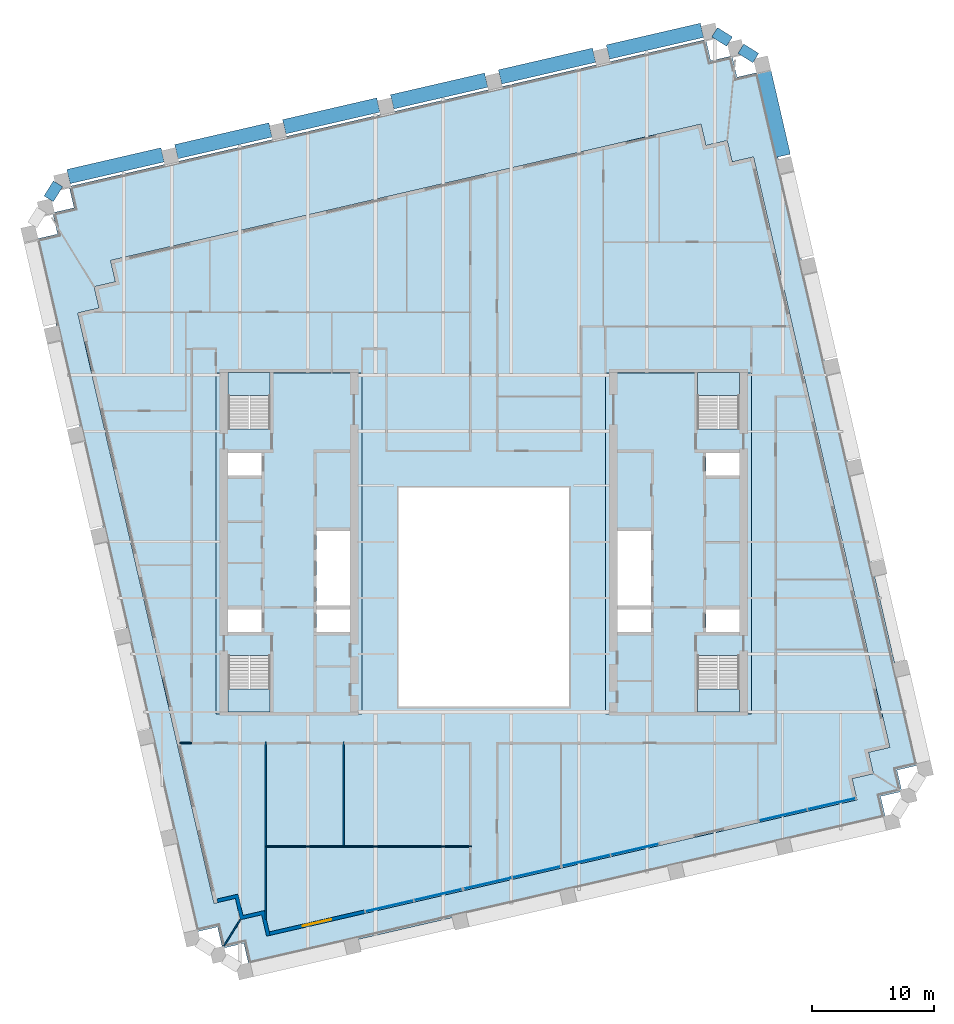
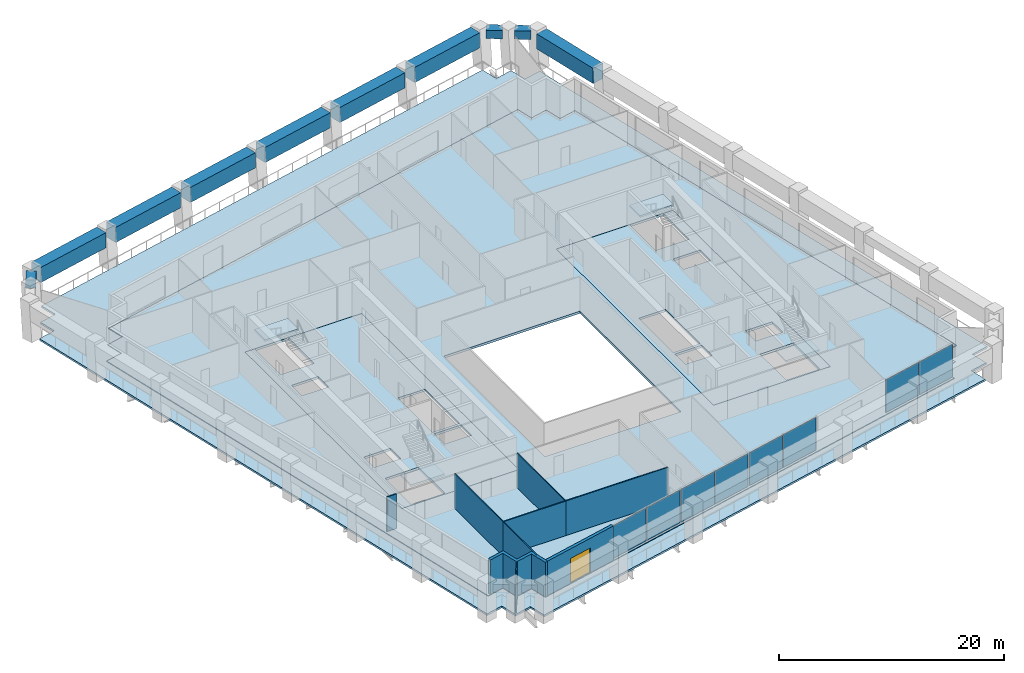
# One storey, part 6 of 14: 10 beams, 9 walls, 8 plates, 8 slabs, 1 door, 1 opening, 8 elements without a shape of their own.
"""IFC4 building model written with IfcOpenShell, lengths in metres."""

import ifcopenshell
import ifcopenshell.guid

model = None  # the IFC model being written
_history = None  # IfcOwnerHistory: only IFC2X3 demands one
_inside = {}  # id of a spatial element -> (the spatial element, [elements in it])
_under = {}  # id of a project, library or spatial element -> (it, [spatial elements below it])
_declared = {}  # id of a project -> (the project, [libraries it declares])
_typed = {}  # id of a type object -> (the type object, [elements of that type])
_made_of = {}  # id of a material, layer set ... -> (it, [elements and type objects made of it])


def new_model(schema):
    """Start an empty IFC model of exactly this schema.

    Asked for "IFC4X3", IfcOpenShell would pick the latest addendum, in which some entities
    have other attributes; the version numbers below select the first issue.
    IFC2X3 requires an IfcOwnerHistory on every rooted entity: one is made here for all.
    """
    global model, _history
    if schema == "IFC4X3":
        model = ifcopenshell.file(schema_version=(4, 3, 0, 0))
    else:
        model = ifcopenshell.file(schema=schema)
    _inside.clear()
    _under.clear()
    _declared.clear()
    _typed.clear()
    _made_of.clear()
    _history = None
    if model.schema == "IFC2X3":
        org = make("IfcOrganization", Name="unknown")
        user = make(
            "IfcPersonAndOrganization",
            ThePerson=make("IfcPerson", FamilyName="unknown"),
            TheOrganization=org,
        )
        app = make(
            "IfcApplication",
            ApplicationDeveloper=org,
            Version="unknown",
            ApplicationFullName="unknown",
            ApplicationIdentifier="unknown",
        )
        _history = make(
            "IfcOwnerHistory",
            OwningUser=user,
            OwningApplication=app,
            ChangeAction="ADDED",
            CreationDate=0,
        )
    return model


def make(cls, **values):
    """One entity of the class cls with the attributes given. An attribute that is None is left unset."""
    return model.create_entity(
        cls, **{name: value for name, value in values.items() if value is not None}
    )


def rooted(cls, **values):
    """An entity with a GlobalId (a new one), such as an element, a storey or a relation."""
    return make(cls, GlobalId=ifcopenshell.guid.new(), OwnerHistory=_history, **values)


def si_unit(unit_type, name, prefix=None):
    """IfcSIUnit, for example si_unit("LENGTHUNIT", "METRE", prefix="MILLI")."""
    return make("IfcSIUnit", UnitType=unit_type, Prefix=prefix, Name=name)


def assignment(units):
    """IfcUnitAssignment: the units of a project."""
    return None if units is None else make("IfcUnitAssignment", Units=units)


def point(xyz):
    """IfcCartesianPoint."""
    return None if xyz is None else make("IfcCartesianPoint", Coordinates=xyz)


def direction(xyz):
    """IfcDirection."""
    return None if xyz is None else make("IfcDirection", DirectionRatios=xyz)


def frame(location, z_axis=None, x_axis=None):
    """IfcAxis2Placement3D, a coordinate frame: its origin and axes. An axis left out is left unset."""
    return make(
        "IfcAxis2Placement3D",
        Location=point(location),
        Axis=direction(z_axis),
        RefDirection=direction(x_axis),
    )


def frame_2d(location, x_axis=None):
    """IfcAxis2Placement2D, a coordinate frame in the plane: its origin and x axis."""
    return make(
        "IfcAxis2Placement2D", Location=point(location), RefDirection=direction(x_axis)
    )


def origin():
    """The frame at (0, 0, 0) with its axes left unset."""
    return frame((0.0, 0.0, 0.0))


def origin_2d():
    """The frame at (0, 0) in the plane with its x axis left unset."""
    return frame_2d((0.0, 0.0))


def place(relative_to, where):
    """IfcLocalPlacement: puts the frame where relative to a parent placement (None: the world)."""
    return make(
        "IfcLocalPlacement", PlacementRelTo=relative_to, RelativePlacement=where
    )


def context(
    kind, dimensions, precision=None, world=None, true_north=None, identifier=None
):
    """IfcGeometricRepresentationContext, for example the 3D "Model" context."""
    return make(
        "IfcGeometricRepresentationContext",
        ContextIdentifier=identifier,
        ContextType=kind,
        CoordinateSpaceDimension=dimensions,
        Precision=precision,
        WorldCoordinateSystem=world,
        TrueNorth=true_north,
    )


def subcontext(parent, identifier, kind, view, scale=None):
    """IfcGeometricRepresentationSubContext, for example "Body" below "Model"."""
    return make(
        "IfcGeometricRepresentationSubContext",
        ContextIdentifier=identifier,
        ContextType=kind,
        ParentContext=parent,
        TargetScale=scale,
        TargetView=view,
    )


def project(units=None, contexts=None):
    """IfcProject with its units and contexts."""
    return rooted(
        "IfcProject",
        Name="project",
        RepresentationContexts=contexts,
        UnitsInContext=assignment(units),
    )


def spatial(cls, under=None, at=None, **own):
    """A site, building, storey or space (cls), placed at a placement, below another one or the project."""
    s = rooted(cls, ObjectPlacement=at, **own)
    if under is not None:
        _under.setdefault(under.id(), (under, []))[1].append(s)
    return s


def polyline(points):
    """IfcPolyline through the points."""
    return make("IfcPolyline", Points=[point(p) for p in points])


def profile(cls, at=None, kind="AREA", **sizes):
    """A parametric profile (cls). Its sizes go by their IFC names, for example OverallWidth=200.0."""
    return make(cls, ProfileType=kind, Position=at, **sizes)


def rectangle(**sizes):
    """IfcRectangleProfileDef."""
    return profile("IfcRectangleProfileDef", **sizes)


def outline(outer, holes=None, kind="AREA"):
    """IfcArbitraryClosedProfileDef: a profile drawn as a closed curve; with holes, ...WithVoids."""
    if holes is None:
        return make("IfcArbitraryClosedProfileDef", ProfileType=kind, OuterCurve=outer)
    return make(
        "IfcArbitraryProfileDefWithVoids",
        ProfileType=kind,
        OuterCurve=outer,
        InnerCurves=holes,
    )


def extrude(swept, where, along, depth):
    """IfcExtrudedAreaSolid: the profile swept, set in the frame where, extruded along a direction by depth."""
    return make(
        "IfcExtrudedAreaSolid",
        SweptArea=swept,
        Position=where,
        ExtrudedDirection=direction(along),
        Depth=depth,
    )


def shape(context_of_items, identifier, shape_type, items):
    """IfcShapeRepresentation: the items that make up one representation, for example the "Body"."""
    return make(
        "IfcShapeRepresentation",
        ContextOfItems=context_of_items,
        RepresentationIdentifier=identifier,
        RepresentationType=shape_type,
        Items=items,
    )


def material(Name=None, Category=None):
    """IfcMaterial."""
    return make("IfcMaterial", Name=Name, Category=Category)


def layer(
    of_material, thickness, ventilated=None, Name=None, Category=None, Priority=None
):
    """IfcMaterialLayer: one layer of a wall or slab, of a material (None: an air gap)."""
    return make(
        "IfcMaterialLayer",
        Material=of_material,
        LayerThickness=thickness,
        IsVentilated=ventilated,
        Name=Name,
        Category=Category,
        Priority=Priority,
    )


def layer_set(layers, Name=None):
    """IfcMaterialLayerSet."""
    return make("IfcMaterialLayerSet", MaterialLayers=layers, LayerSetName=Name)


def material_profile(
    of_material, cross_section, Name=None, Category=None, Priority=None
):
    """IfcMaterialProfile: a cross section and its material."""
    return make(
        "IfcMaterialProfile",
        Name=Name,
        Material=of_material,
        Profile=cross_section,
        Priority=Priority,
        Category=Category,
    )


def profile_set(profiles, Name=None, composite=None):
    """IfcMaterialProfileSet."""
    return make(
        "IfcMaterialProfileSet",
        Name=Name,
        MaterialProfiles=profiles,
        CompositeProfile=composite,
    )


def made_of(thing, what):
    """Note that an element or type object is made of a material, layer set ...; save() writes the relation."""
    if what is not None:
        _made_of.setdefault(what.id(), (what, []))[1].append(thing)
    return thing


def type_object(cls, material=None, **own):
    """A type object (cls), such as IfcWallType, which elements share."""
    return made_of(rooted(cls, **own), material)


def element(
    cls,
    number,
    at=None,
    inside=None,
    cuts=None,
    type_object=None,
    material=None,
    context=None,
    identifier="Body",
    shape_type=None,
    held_by="IfcProductDefinitionShape",
    body=None,
    shapes=None,
    **own,
):
    """One element of the class cls, such as IfcWall. Its Tag is "e" and its number.

    at: its placement. inside: the storey or other place that contains it. cuts: it is an
    opening in that element (IfcRelVoidsElement). A single representation is given by context,
    identifier, shape_type and body (its items); several are given by shapes. held_by: the class
    of the entity that holds the representations. save() writes the other relations.
    """
    e = rooted(cls, Tag="e%d" % number, ObjectPlacement=at, **own)
    if body is not None:
        shapes = [shape(context, identifier, shape_type, body)]
    if shapes is not None:
        e.Representation = make(held_by, Representations=shapes)
    if inside is not None:
        _inside.setdefault(inside.id(), (inside, []))[1].append(e)
    if cuts is not None:
        rooted(
            "IfcRelVoidsElement", RelatingBuildingElement=cuts, RelatedOpeningElement=e
        )
    if type_object is not None:
        _typed.setdefault(type_object.id(), (type_object, []))[1].append(e)
    return made_of(e, material)


def fill(opening, filler):
    """IfcRelFillsElement: the door or window that sits in an opening."""
    return rooted(
        "IfcRelFillsElement",
        RelatingOpeningElement=opening,
        RelatedBuildingElement=filler,
    )


def aggregate(whole, parts):
    """IfcRelAggregates: a whole, such as a stair, and the parts it consists of."""
    return rooted("IfcRelAggregates", RelatingObject=whole, RelatedObjects=parts)


def save(model, path):
    """Write the relations noted so far, then the file.

    IfcRelAggregates (storeys below a building ...), IfcRelContainedInSpatialStructure (elements
    in a storey), IfcRelDefinesByType, IfcRelAssociatesMaterial and IfcRelDeclares: one each for
    every whole, place, type object, material and project.
    """
    for whole, parts in _under.values():
        aggregate(whole, parts)
    for where, things in _inside.values():
        rooted(
            "IfcRelContainedInSpatialStructure",
            RelatedElements=things,
            RelatingStructure=where,
        )
    for kind, things in _typed.values():
        rooted("IfcRelDefinesByType", RelatedObjects=things, RelatingType=kind)
    for what, things in _made_of.values():
        rooted("IfcRelAssociatesMaterial", RelatedObjects=things, RelatingMaterial=what)
    for by, libraries in _declared.values():
        rooted("IfcRelDeclares", RelatingContext=by, RelatedDefinitions=libraries)
    model.write(path)


model = new_model("IFC4")

# Units and contexts
model_context = context("Model", 3, precision=1e-05, world=origin(), true_north=direction((0.0, 1.0)))
body_context = subcontext(model_context, "Body", "Model", "MODEL_VIEW")
ifc_project = project(units=[si_unit("LENGTHUNIT", "METRE"), si_unit("AREAUNIT", "SQUARE_METRE"), si_unit("VOLUMEUNIT", "CUBIC_METRE"), si_unit("PLANEANGLEUNIT", "RADIAN"), si_unit("MASSUNIT", "GRAM", prefix="KILO")], contexts=[model_context])

# Site, building, storey
site_placement = place(None, origin())
site = spatial("IfcSite", under=ifc_project, at=site_placement, CompositionType="ELEMENT")
building_placement = place(site_placement, origin())
building = spatial("IfcBuilding", under=site, at=building_placement, Name="Ogive Exchange Tower", CompositionType="ELEMENT")
storey_placement = place(building_placement, frame((0.0, 0.0, 222.0)))
storey = spatial("IfcBuildingStorey", under=building, at=storey_placement, Name="L49", CompositionType="ELEMENT", Elevation=222.0)

# Beams
ifc_material_1 = material(Name="Precast concrete C70/85 (limestone faced)", Category="masonry")
ifc_material_profile_1 = material_profile(ifc_material_1, rectangle(XDim=1.199951171875, YDim=1.64990234375, at=origin_2d()), Name="1200 x 1650")
ifc_profile_set_1 = profile_set([ifc_material_profile_1], Name="Precast concrete C70/85 (limestone faced)")
beam_type_1 = type_object("IfcBeamType", Name="Precast portal sill beam 1200 x 1650 C70/85", PredefinedType="BEAM", material=ifc_profile_set_1)
beam_1_placement = place(storey_placement, frame((24.609130859375, 43.269287109375, 3.125), z_axis=(-0.224936950795, 0.974373320739, 0.0), x_axis=(-0.974373320739, -0.224936950795, 0.0)))
element("IfcBeam", 1, at=beam_1_placement, inside=storey, type_object=beam_type_1, Name="Slot sill beam 15", PredefinedType="BEAM", context=body_context, shape_type="SweptSolid", body=[
    extrude(rectangle(XDim=1.199951171875, YDim=1.64990234375, at=origin_2d()), origin(), (0.0, 0.0, 1.0), 7.367431640625),
])
for number, where, z_axis, x_axis, name in (
    (2, (17.938720703125, 53.58056640625, 3.125), (-0.974369944206, -0.224951576629, 0.0), (0.224951576629, -0.974369944206, 0.0), "Slot sill beam 18"),
    (3, (9.072021484375, 51.53369140625, 3.125), (-0.974369944206, -0.224951576629, 0.0), (0.224951576629, -0.974369944206, 0.0), "Slot sill beam 19"),
    (4, (0.205078125, 49.486572265625, 3.125), (-0.974369944206, -0.224951576629, 0.0), (0.224951576629, -0.974369944206, 0.0), "Slot sill beam 20"),
    (5, (-8.66162109375, 47.439453125, 3.125), (-0.974369944206, -0.224951576629, 0.0), (0.224951576629, -0.974369944206, 0.0), "Slot sill beam 21"),
    (6, (-17.5283203125, 45.392333984375, 3.125), (-0.974369944206, -0.224951576629, 0.0), (0.224951576629, -0.974369944206, 0.0), "Slot sill beam 22"),
):
    element("IfcBeam", number, at=place(storey_placement, frame(where, z_axis=z_axis, x_axis=x_axis)), inside=storey, type_object=beam_type_1, Name=name, PredefinedType="BEAM", context=body_context, shape_type="SweptSolid", body=[
        extrude(rectangle(XDim=1.199951171875, YDim=1.64990234375, at=origin_2d()), origin(), (0.0, 0.0, 1.0), 7.940185546875),
    ])
beam_2_placement = place(storey_placement, frame((-26.395263671875, 43.345458984375, 3.125), z_axis=(-0.974368388194, -0.224958316335, 0.0), x_axis=(0.224958316335, -0.974368388194, 0.0)))
element("IfcBeam", 7, at=beam_2_placement, inside=storey, type_object=beam_type_1, Name="Slot sill beam 23", PredefinedType="BEAM", context=body_context, shape_type="SweptSolid", body=[
    extrude(rectangle(XDim=1.199951171875, YDim=1.64990234375, at=origin_2d()), origin(), (0.0, 0.0, 1.0), 7.93994140625),
])
ifc_material_profile_2 = material_profile(ifc_material_1, rectangle(XDim=0.89990234375, YDim=0.89990234375, at=origin_2d()), Name="900 x 900")
ifc_profile_set_2 = profile_set([ifc_material_profile_2], Name="Precast concrete C70/85 (limestone faced)")
beam_type_2 = type_object("IfcBeamType", Name="Precast spandrel 900 x 900 C70/85", PredefinedType="SPANDREL", material=ifc_profile_set_2)
for number, where, z_axis, x_axis, name in (
    (8, (22.356201171875, 51.303955078125, 3.5), (-0.848074041941, 0.529877740036, 0.0), (-0.529877740036, -0.848074041941, 0.0), "Spandrel 16"),
    (9, (20.197509765625, 52.65283203125, 3.5), (-0.848074041941, 0.529877740036, 0.0), (-0.529877740036, -0.848074041941, 0.0), "Spandrel 17"),
    (10, (-34.987548828125, 40.963623046875, 3.5), (-0.529877740036, -0.848074041941, 0.0), (0.848074041941, -0.529877740036, 0.0), "Spandrel 24"),
):
    element("IfcBeam", number, at=place(storey_placement, frame(where, z_axis=z_axis, x_axis=x_axis)), inside=storey, type_object=beam_type_2, Name=name, PredefinedType="SPANDREL", context=body_context, shape_type="SweptSolid", body=[
        extrude(rectangle(XDim=0.89990234375, YDim=0.89990234375, at=origin_2d()), origin(), (0.0, 0.0, 1.0), 1.448486328125),
    ])

# Slabs
ifc_material_2 = material(Name="Concrete C50/60", Category="concrete")
ifc_layer_1 = layer(ifc_material_2, 0.25)
ifc_layer_set_1 = layer_set([ifc_layer_1], Name="Composite floor slab 250")
slab_type_1 = type_object("IfcSlabType", Name="Composite floor slab 250", PredefinedType="FLOOR", material=ifc_layer_set_1)
slab_1_placement = place(storey_placement, frame((0.0, 0.0, -0.25)))
element("IfcSlab", 11, at=slab_1_placement, inside=storey, type_object=slab_type_1, Name="Composite floor slab", PredefinedType="FLOOR", context=body_context, shape_type="SweptSolid", body=[
    extrude(outline(polyline([(-18.255615234375, -19.116943359375), (-20.009521484375, -19.52197265625), (-20.414306640625, -17.76806640625), (-22.168212890625, -18.1728515625), (-33.370849609375, 30.3505859375), (-31.616943359375, 30.755615234375), (-32.02197265625, 32.509521484375), (-30.26806640625, 32.914306640625), (-30.6728515625, 34.668212890625), (17.8505859375, 45.870849609375), (18.255615234375, 44.116943359375), (20.009521484375, 44.52197265625), (20.414306640625, 42.76806640625), (22.168212890625, 43.1728515625), (33.370849609375, -5.3505859375), (31.616943359375, -5.755615234375), (32.02197265625, -7.509521484375), (30.26806640625, -7.914306640625), (30.6728515625, -9.668212890625), (-17.8505859375, -20.870849609375), (-18.255615234375, -19.116943359375)]), holes=[polyline([(7.0, -2.0), (7.0, 16.0), (-7.0, 16.0), (-7.0, -2.0), (7.0, -2.0)]), polyline([(-22.0, -2.60009765625), (-10.0, -2.60009765625), (-10.0, 25.39990234375), (-22.0, 25.39990234375), (-22.0, -2.60009765625)]), polyline([(10.0, -2.60009765625), (22.0, -2.60009765625), (22.0, 25.39990234375), (10.0, 25.39990234375), (10.0, -2.60009765625)])]), origin(), (0.0, 0.0, 1.0), 0.25),
])
ifc_material_3 = material(Name="Concrete C70/85", Category="concrete")
ifc_layer_2 = layer(ifc_material_3, 0.25)
ifc_layer_set_2 = layer_set([ifc_layer_2], Name="Core floor slab 250")
slab_type_2 = type_object("IfcSlabType", Name="Core floor slab 250", PredefinedType="FLOOR", material=ifc_layer_set_2)
slab_2_placement = place(storey_placement, frame((0.0, 0.0, -0.25)))
element("IfcSlab", 12, at=slab_2_placement, inside=storey, type_object=slab_type_2, Name="Core floor slab", PredefinedType="FLOOR", context=body_context, shape_type="SweptSolid", body=[
    extrude(outline(polyline([(-10.0, 25.39990234375), (-10.0, -2.60009765625), (-22.0, -2.60009765625), (-22.0, 25.39990234375), (-21.0, 25.39990234375), (-21.0, 20.803955078125), (-17.550048828125, 20.803955078125), (-17.550048828125, 25.39990234375), (-10.0, 25.39990234375)]), holes=[polyline([(-17.550048828125, 2.196044921875), (-21.0, 2.196044921875), (-21.0, -2.449951171875), (-17.550048828125, -2.449951171875), (-17.550048828125, 2.196044921875)]), polyline([(-18.25, 5.992919921875), (-21.0, 5.992919921875), (-21.0, 4.14990234375), (-18.25, 4.14990234375), (-18.25, 5.992919921875)]), polyline([(-11.0, 5.992919921875), (-13.75, 5.992919921875), (-13.75, 4.14990234375), (-11.0, 4.14990234375), (-11.0, 5.992919921875)]), polyline([(-13.75, 12.42138671875), (-13.75, 6.29296875), (-11.0, 6.29296875), (-11.0, 12.42138671875), (-13.75, 12.42138671875)]), polyline([(-18.25, 18.85009765625), (-21.0, 18.85009765625), (-21.0, 17.007080078125), (-18.25, 17.007080078125), (-18.25, 18.85009765625)])]), origin(), (0.0, 0.0, 1.0), 0.25),
])
slab_3_placement = place(storey_placement, frame((0.0, 0.0, -0.25)))
element("IfcSlab", 13, at=slab_3_placement, inside=storey, type_object=slab_type_2, Name="Core floor slab", PredefinedType="FLOOR", context=body_context, shape_type="SweptSolid", body=[
    extrude(outline(polyline([(22.0, 25.39990234375), (22.0, -2.60009765625), (10.0, -2.60009765625), (10.0, 25.39990234375), (17.550048828125, 25.39990234375), (17.550048828125, 20.803955078125), (21.0, 20.803955078125), (21.0, 25.39990234375), (22.0, 25.39990234375)]), holes=[polyline([(21.0, 2.196044921875), (17.550048828125, 2.196044921875), (17.550048828125, -2.449951171875), (21.0, -2.449951171875), (21.0, 2.196044921875)]), polyline([(13.75, 5.992919921875), (11.0, 5.992919921875), (11.0, 4.14990234375), (13.75, 4.14990234375), (13.75, 5.992919921875)]), polyline([(21.0, 5.992919921875), (18.25, 5.992919921875), (18.25, 4.14990234375), (21.0, 4.14990234375), (21.0, 5.992919921875)]), polyline([(11.0, 12.42138671875), (11.0, 6.29296875), (13.75, 6.29296875), (13.75, 12.42138671875), (11.0, 12.42138671875)]), polyline([(21.0, 18.85009765625), (18.25, 18.85009765625), (18.25, 17.007080078125), (21.0, 17.007080078125), (21.0, 18.85009765625)])]), origin(), (0.0, 0.0, 1.0), 0.25),
])
ifc_layer_3 = layer(ifc_material_2, 0.199951171875)
ifc_layer_set_3 = layer_set([ifc_layer_3], Name="Loggia deck 200")
slab_type_3 = type_object("IfcSlabType", Name="Loggia deck 200", PredefinedType="FLOOR", material=ifc_layer_set_3)
slab_4_placement = place(storey_placement, frame((0.0, 0.0, -0.25)))
element("IfcSlab", 14, at=slab_4_placement, inside=storey, type_object=slab_type_3, Name="Loggia deck", PredefinedType="FLOOR", context=body_context, shape_type="SweptSolid", body=[
    extrude(outline(polyline([(-19.717041015625, -21.45556640625), (-21.470947265625, -21.860595703125), (-21.875732421875, -20.106689453125), (-23.629638671875, -20.51171875), (-36.775634765625, 36.43017578125), (-35.021728515625, 36.8349609375), (-35.4267578125, 38.5888671875), (-33.6728515625, 38.993896484375), (-34.077880859375, 40.747802734375), (18.245849609375, 52.827392578125), (18.65087890625, 51.07373046875), (20.40478515625, 51.478515625), (20.8095703125, 49.724609375), (22.5634765625, 50.129638671875), (35.70947265625, -6.81201171875), (33.95556640625, -7.217041015625), (34.360595703125, -8.970947265625), (32.606689453125, -9.375732421875), (33.01171875, -11.129638671875), (-19.31201171875, -23.20947265625), (-19.717041015625, -21.45556640625)]), holes=[polyline([(30.26806640625, -7.914306640625), (32.02197265625, -7.509521484375), (31.616943359375, -5.755615234375), (33.370849609375, -5.3505859375), (22.168212890625, 43.1728515625), (20.414306640625, 42.76806640625), (20.009521484375, 44.52197265625), (18.255615234375, 44.116943359375), (17.8505859375, 45.870849609375), (-30.6728515625, 34.668212890625), (-30.26806640625, 32.914306640625), (-32.02197265625, 32.509521484375), (-31.616943359375, 30.755615234375), (-33.370849609375, 30.3505859375), (-22.168212890625, -18.1728515625), (-20.414306640625, -17.76806640625), (-20.009521484375, -19.52197265625), (-18.255615234375, -19.116943359375), (-17.8505859375, -20.870849609375), (30.6728515625, -9.668212890625), (30.26806640625, -7.914306640625)])]), origin(), (0.0, 0.0, 1.0), 0.199951171875),
])

# Curtain wall, plates
ifc_material_4 = material(Name="Anodised aluminium and clear glass", Category="aluminium")
curtain_wall_type = type_object("IfcCurtainWallType", Name="Executive floor glazing", PredefinedType="NOTDEFINED", material=ifc_material_4)
curtain_wall_1_placement = place(storey_placement, origin())
curtain_wall_1 = element("IfcCurtainWall", 15, at=curtain_wall_1_placement, inside=storey, type_object=curtain_wall_type, Name="Executive floor glazing run G2", PredefinedType="NOTDEFINED")
ifc_material_5 = material(Name="Clear glass", Category="glass")
ifc_layer_4 = layer(ifc_material_5, 0.048095703125)
ifc_layer_set_4 = layer_set([ifc_layer_4], Name="Solar-control laminated glass panel 48")
plate_type = type_object("IfcPlateType", Name="Solar-control laminated glass panel 48", PredefinedType="CURTAIN_PANEL", material=ifc_layer_set_4)
plate_1_placement = place(storey_placement, frame((-7.7509765625, -18.38525390625, 0.10009765625), z_axis=(0.0, 0.0, 1.0), x_axis=(0.974370073289, 0.224951017509, 0.0)))
plate_1 = element("IfcPlate", 16, at=plate_1_placement, type_object=plate_type, Name="G2 panel 1.1", PredefinedType="CURTAIN_PANEL", context=body_context, shape_type="SweptSolid", body=[
    extrude(rectangle(XDim=4.0, YDim=0.048095703125, at=origin_2d()), origin(), (0.0, 0.0, 1.0), 3.550048828125),
])
plate_2_placement = place(storey_placement, frame((-3.756103515625, -17.462890625, 0.10009765625), z_axis=(0.0, 0.0, 1.0), x_axis=(0.974370073289, 0.224951017509, 0.0)))
plate_2 = element("IfcPlate", 17, at=plate_2_placement, type_object=plate_type, Name="G2 panel 2.1", PredefinedType="CURTAIN_PANEL", context=body_context, shape_type="SweptSolid", body=[
    extrude(rectangle(XDim=4.0, YDim=0.048095703125, at=origin_2d()), origin(), (0.0, 0.0, 1.0), 3.550048828125),
])
aggregate(curtain_wall_1, [plate_1, plate_2])

curtain_wall_2_placement = place(storey_placement, origin())
curtain_wall_2 = element("IfcCurtainWall", 18, at=curtain_wall_2_placement, inside=storey, type_object=curtain_wall_type, Name="Executive floor glazing run G3", PredefinedType="NOTDEFINED")
plate_3_placement = place(storey_placement, frame((0.336181640625, -16.51806640625, 0.10009765625), z_axis=(0.0, 0.0, 1.0), x_axis=(0.974370073289, 0.224951017509, 0.0)))
plate_3 = element("IfcPlate", 19, at=plate_3_placement, type_object=plate_type, Name="G3 panel 1.1", PredefinedType="CURTAIN_PANEL", context=body_context, shape_type="SweptSolid", body=[
    extrude(rectangle(XDim=4.0, YDim=0.048095703125, at=origin_2d()), origin(), (0.0, 0.0, 1.0), 3.550048828125),
])
plate_4_placement = place(storey_placement, frame((4.331298828125, -15.595703125, 0.10009765625), z_axis=(0.0, 0.0, 1.0), x_axis=(0.974370073289, 0.224951017509, 0.0)))
plate_4 = element("IfcPlate", 20, at=plate_4_placement, type_object=plate_type, Name="G3 panel 2.1", PredefinedType="CURTAIN_PANEL", context=body_context, shape_type="SweptSolid", body=[
    extrude(rectangle(XDim=4.0, YDim=0.048095703125, at=origin_2d()), origin(), (0.0, 0.0, 1.0), 3.550048828125),
])
aggregate(curtain_wall_2, [plate_3, plate_4])

curtain_wall_3_placement = place(storey_placement, origin())
curtain_wall_3 = element("IfcCurtainWall", 21, at=curtain_wall_3_placement, inside=storey, type_object=curtain_wall_type, Name="Executive floor glazing run G4", PredefinedType="NOTDEFINED")
plate_5_placement = place(storey_placement, frame((8.423583984375, -14.651123046875, 0.10009765625), z_axis=(0.0, 0.0, 1.0), x_axis=(0.974369463608, 0.224953658314, 0.0)))
plate_5 = element("IfcPlate", 22, at=plate_5_placement, type_object=plate_type, Name="G4 panel 1.1", PredefinedType="CURTAIN_PANEL", context=body_context, shape_type="SweptSolid", body=[
    extrude(rectangle(XDim=4.0, YDim=0.048095703125, at=origin_2d()), origin(), (0.0, 0.0, 1.0), 3.550048828125),
])
plate_6_placement = place(storey_placement, frame((12.41845703125, -13.728759765625, 0.10009765625), z_axis=(0.0, 0.0, 1.0), x_axis=(0.974369463608, 0.224953658314, 0.0)))
plate_6 = element("IfcPlate", 23, at=plate_6_placement, type_object=plate_type, Name="G4 panel 2.1", PredefinedType="CURTAIN_PANEL", context=body_context, shape_type="SweptSolid", body=[
    extrude(rectangle(XDim=4.0, YDim=0.048095703125, at=origin_2d()), origin(), (0.0, 0.0, 1.0), 3.550048828125),
])
aggregate(curtain_wall_3, [plate_5, plate_6])

curtain_wall_4_placement = place(storey_placement, origin())
curtain_wall_4 = element("IfcCurtainWall", 24, at=curtain_wall_4_placement, inside=storey, type_object=curtain_wall_type, Name="Executive floor glazing run G6", PredefinedType="NOTDEFINED")
plate_7_placement = place(storey_placement, frame((24.59814453125, -10.916748046875, 0.10009765625), z_axis=(0.0, 0.0, 1.0), x_axis=(0.974370073289, 0.224951017509, 0.0)))
plate_7 = element("IfcPlate", 25, at=plate_7_placement, type_object=plate_type, Name="G6 panel 1.1", PredefinedType="CURTAIN_PANEL", context=body_context, shape_type="SweptSolid", body=[
    extrude(rectangle(XDim=4.0, YDim=0.048095703125, at=origin_2d()), origin(), (0.0, 0.0, 1.0), 3.550048828125),
])
plate_8_placement = place(storey_placement, frame((28.593017578125, -9.994384765625, 0.10009765625), z_axis=(0.0, 0.0, 1.0), x_axis=(0.974370073289, 0.224951017509, 0.0)))
plate_8 = element("IfcPlate", 26, at=plate_8_placement, type_object=plate_type, Name="G6 panel 2.1", PredefinedType="CURTAIN_PANEL", context=body_context, shape_type="SweptSolid", body=[
    extrude(rectangle(XDim=4.0, YDim=0.048095703125, at=origin_2d()), origin(), (0.0, 0.0, 1.0), 3.550048828125),
])
aggregate(curtain_wall_4, [plate_7, plate_8])

# Stair, slab
ifc_material_6 = material(Name="Concrete C40/50", Category="concrete")
stair_type = type_object("IfcStairType", Name="Exit stair 1650 wide", PredefinedType="HALF_TURN_STAIR", material=ifc_material_6)
stair_1_placement = place(storey_placement, origin())
stair_1 = element("IfcStair", 27, at=stair_1_placement, inside=storey, type_object=stair_type, Name="L49 exit stair ST1", PredefinedType="HALF_TURN_STAIR")
ifc_layer_5 = layer(ifc_material_6, 0.199951171875)
ifc_layer_set_5 = layer_set([ifc_layer_5], Name="Stair landing 200 slab")
slab_type_4 = type_object("IfcSlabType", Name="Stair landing 200 slab", PredefinedType="LANDING", material=ifc_layer_set_5)
slab_5_placement = place(storey_placement, frame((0.0, 0.0, 1.89990234375)))
slab_5 = element("IfcSlab", 28, at=slab_5_placement, type_object=slab_type_4, Name="ST1 landing 1", PredefinedType="LANDING", context=body_context, shape_type="SweptSolid", body=[
    extrude(outline(polyline([(-21.0, -0.550048828125), (-21.0, -2.449951171875), (-17.550048828125, -2.449951171875), (-17.550048828125, -0.550048828125), (-21.0, -0.550048828125)])), origin(), (0.0, 0.0, 1.0), 0.2001953125),
])
aggregate(stair_1, [slab_5])

stair_2_placement = place(storey_placement, origin())
stair_2 = element("IfcStair", 29, at=stair_2_placement, inside=storey, type_object=stair_type, Name="L49 exit stair ST2", PredefinedType="HALF_TURN_STAIR")
slab_6_placement = place(storey_placement, frame((0.0, 0.0, 1.89990234375)))
slab_6 = element("IfcSlab", 30, at=slab_6_placement, type_object=slab_type_4, Name="ST2 landing 1", PredefinedType="LANDING", context=body_context, shape_type="SweptSolid", body=[
    extrude(outline(polyline([(-17.550048828125, 23.550048828125), (-17.550048828125, 25.449951171875), (-21.0, 25.449951171875), (-21.0, 23.550048828125), (-17.550048828125, 23.550048828125)])), origin(), (0.0, 0.0, 1.0), 0.2001953125),
])
aggregate(stair_2, [slab_6])

stair_3_placement = place(storey_placement, origin())
stair_3 = element("IfcStair", 31, at=stair_3_placement, inside=storey, type_object=stair_type, Name="L49 exit stair ST3", PredefinedType="HALF_TURN_STAIR")
slab_7_placement = place(storey_placement, frame((0.0, 0.0, 1.89990234375)))
slab_7 = element("IfcSlab", 32, at=slab_7_placement, type_object=slab_type_4, Name="ST3 landing 1", PredefinedType="LANDING", context=body_context, shape_type="SweptSolid", body=[
    extrude(outline(polyline([(17.550048828125, -0.550048828125), (17.550048828125, -2.449951171875), (21.0, -2.449951171875), (21.0, -0.550048828125), (17.550048828125, -0.550048828125)])), origin(), (0.0, 0.0, 1.0), 0.2001953125),
])
aggregate(stair_3, [slab_7])

stair_4_placement = place(storey_placement, origin())
stair_4 = element("IfcStair", 33, at=stair_4_placement, inside=storey, type_object=stair_type, Name="L49 exit stair ST4", PredefinedType="HALF_TURN_STAIR")
slab_8_placement = place(storey_placement, frame((0.0, 0.0, 1.89990234375)))
slab_8 = element("IfcSlab", 34, at=slab_8_placement, type_object=slab_type_4, Name="ST4 landing 1", PredefinedType="LANDING", context=body_context, shape_type="SweptSolid", body=[
    extrude(outline(polyline([(21.0, 23.550048828125), (21.0, 25.449951171875), (17.550048828125, 25.449951171875), (17.550048828125, 23.550048828125), (21.0, 23.550048828125)])), origin(), (0.0, 0.0, 1.0), 0.2001953125),
])
aggregate(stair_4, [slab_8])

# Wall, opening, door
ifc_material_7 = material(Name="Precast concrete C40/50", Category="concrete")
ifc_layer_6 = layer(ifc_material_7, 0.300048828125)
ifc_layer_set_6 = layer_set([ifc_layer_6], Name="Limestone-faced wall 300")
wall_type_1 = type_object("IfcWallType", Name="Limestone-faced wall 300", PredefinedType="STANDARD", material=ifc_layer_set_6)
wall_1_placement = place(storey_placement, frame((-17.592041015625, -20.6572265625, 0.0), z_axis=(0.0, 0.0, 1.0), x_axis=(0.974371132389, 0.224946429994, 0.0)))
wall_1 = element("IfcWall", 35, at=wall_1_placement, inside=storey, type_object=wall_type_1, Name="External wall S1", PredefinedType="STANDARD", context=body_context, shape_type="SweptSolid", body=[
    extrude(rectangle(XDim=8.0, YDim=0.300048828125, at=frame_2d((4.0, 0.0))), origin(), (0.0, 0.0, 1.0), 3.75),
])
opening_placement = place(wall_1_placement, frame((2.800048828125, 0.0, 0.0)))
opening = element("IfcOpeningElement", 36, at=opening_placement, cuts=wall_1, Name="Opening D1S", PredefinedType="OPENING", context=body_context, shape_type="SweptSolid", body=[
    extrude(rectangle(XDim=2.39990234375, YDim=2.699951171875, at=frame_2d((1.199951171875, 1.35009765625))), frame((0.0, 0.159912109375, 0.0), z_axis=(0.0, -1.0, 0.0), x_axis=(1.0, 0.0, 0.0)), (0.0, 0.0, 1.0), 0.320068359375),
])
ifc_material_8 = material(Name="Clear glass in bronze frame", Category="glass")
door_type = type_object("IfcDoorType", Name="Sliding loggia door 2400 x 2700", OperationType="DOUBLE_DOOR_SLIDING", PredefinedType="DOOR", material=ifc_material_8)
door_placement = place(opening_placement, origin())
door = element("IfcDoor", 37, at=door_placement, inside=storey, type_object=door_type, Name="Loggia door S00", OperationType="DOUBLE_DOOR_SLIDING", OverallHeight=2.699951171875, OverallWidth=2.39990234375, PredefinedType="DOOR", context=body_context, shape_type="SweptSolid", body=[
    extrude(rectangle(XDim=2.39990234375, YDim=2.699951171875, at=frame_2d((1.199951171875, 1.35009765625))), frame((0.0, 0.02490234375, 0.0), z_axis=(0.0, -1.0, 0.0), x_axis=(1.0, 0.0, 0.0)), (0.0, 0.0, 1.0), 0.050048828125),
])
fill(opening, door)

# Walls
wall_2_placement = place(storey_placement, origin())
element("IfcWall", 38, at=wall_2_placement, inside=storey, type_object=wall_type_1, Name="External corner wall C4", PredefinedType="STANDARD", context=body_context, shape_type="SweptSolid", body=[
    extrude(outline(polyline([(-18.255615234375, -19.116943359375), (-20.009521484375, -19.52197265625), (-20.414306640625, -17.76806640625), (-21.8759765625, -18.10546875), (-21.943359375, -17.81298828125), (-20.189697265625, -17.408203125), (-19.78466796875, -19.162109375), (-18.03076171875, -18.757080078125), (-17.558349609375, -20.80322265625), (-17.8505859375, -20.870849609375), (-18.255615234375, -19.116943359375)])), origin(), (0.0, 0.0, 1.0), 3.75),
])
ifc_material_9 = material(Name="Laminated safety glass in steel frame", Category="steel")
ifc_layer_7 = layer(ifc_material_9, 0.10009765625)
ifc_layer_set_7 = layer_set([ifc_layer_7], Name="Loggia end screen 100")
wall_type_2 = type_object("IfcWallType", Name="Loggia end screen 100", PredefinedType="STANDARD", material=ifc_layer_set_7)
wall_3_placement = place(storey_placement, frame((-20.009521484375, -19.52197265625, -0.050048828125), z_axis=(0.0, 0.0, 1.0), x_axis=(-0.529920736377, -0.848047176257, 0.0)))
element("IfcWall", 39, at=wall_3_placement, inside=storey, type_object=wall_type_2, Name="Loggia end screen C4", PredefinedType="STANDARD", context=body_context, shape_type="SweptSolid", body=[
    extrude(rectangle(XDim=2.525634765625, YDim=0.10009765625, at=frame_2d((1.2626953125, 0.0))), origin(), (0.0, 0.0, 1.0), 3.800048828125),
])
ifc_material_10 = material(Name="Partition 100 gypsum")
ifc_layer_8 = layer(ifc_material_10, 0.10009765625)
ifc_layer_set_8 = layer_set([ifc_layer_8], Name="Partition 100 gypsum")
wall_type_3 = type_object("IfcWallType", Name="Partition 100 gypsum", PredefinedType="PARTITIONING", material=ifc_layer_set_8)
wall_4_placement = place(storey_placement, frame((-24.0, -4.989990234375, 0.0), z_axis=(0.0, 0.0, 1.0), x_axis=(-1.0, 0.0, 0.0)))
element("IfcWall", 40, at=wall_4_placement, inside=storey, type_object=wall_type_3, Name="L49-PWL-006", PredefinedType="PARTITIONING", context=body_context, shape_type="SweptSolid", body=[
    extrude(rectangle(XDim=0.987060546875, YDim=0.10009765625, at=frame_2d((0.49365234375, 0.0))), origin(), (0.0, 0.0, 1.0), 3.75),
])
wall_5_placement = place(storey_placement, frame((-17.919921875, -19.48193359375, 0.0), z_axis=(0.0, 0.0, 1.0), x_axis=(0.0, 1.0, 0.0)))
element("IfcWall", 41, at=wall_5_placement, inside=storey, type_object=wall_type_3, Name="L49-PWL-014", PredefinedType="PARTITIONING", context=body_context, shape_type="SweptSolid", body=[
    extrude(rectangle(XDim=5.931884765625, YDim=0.10009765625, at=frame_2d((2.9658203125, 0.0))), origin(), (0.0, 0.0, 1.0), 3.75),
])
wall_6_placement = place(storey_placement, frame((-17.919921875, -13.550048828125, 0.0), z_axis=(0.0, 0.0, 1.0), x_axis=(0.0, 1.0, 0.0)))
element("IfcWall", 42, at=wall_6_placement, inside=storey, type_object=wall_type_3, Name="L49-PWL-015", PredefinedType="PARTITIONING", context=body_context, shape_type="SweptSolid", body=[
    extrude(rectangle(XDim=8.625, YDim=0.10009765625, at=frame_2d((4.3125, 0.0))), origin(), (0.0, 0.0, 1.0), 3.75),
])
wall_7_placement = place(storey_placement, frame((-17.8701171875, -13.5, 0.0), z_axis=(0.0, 0.0, 1.0), x_axis=(1.0, 0.0, 0.0)))
element("IfcWall", 43, at=wall_7_placement, inside=storey, type_object=wall_type_3, Name="L49-PWL-016", PredefinedType="PARTITIONING", context=body_context, shape_type="SweptSolid", body=[
    extrude(rectangle(XDim=6.3701171875, YDim=0.10009765625, at=frame_2d((3.18505859375, 0.0))), origin(), (0.0, 0.0, 1.0), 3.75),
])
wall_8_placement = place(storey_placement, frame((-11.5, -13.449951171875, 0.0), z_axis=(0.0, 0.0, 1.0), x_axis=(0.0, 1.0, 0.0)))
element("IfcWall", 44, at=wall_8_placement, inside=storey, type_object=wall_type_3, Name="L49-PWL-020", PredefinedType="PARTITIONING", context=body_context, shape_type="SweptSolid", body=[
    extrude(rectangle(XDim=8.52490234375, YDim=0.10009765625, at=frame_2d((4.262451171875, 0.0))), origin(), (0.0, 0.0, 1.0), 3.75),
])
wall_9_placement = place(storey_placement, frame((-11.5, -13.5, 0.0), z_axis=(0.0, 0.0, 1.0), x_axis=(1.0, 0.0, 0.0)))
element("IfcWall", 45, at=wall_9_placement, inside=storey, type_object=wall_type_3, Name="L49-PWL-021", PredefinedType="PARTITIONING", context=body_context, shape_type="SweptSolid", body=[
    extrude(rectangle(XDim=10.47509765625, YDim=0.10009765625, at=frame_2d((5.237548828125, 0.0))), origin(), (0.0, 0.0, 1.0), 3.75),
])

save(model, "model.ifc")
